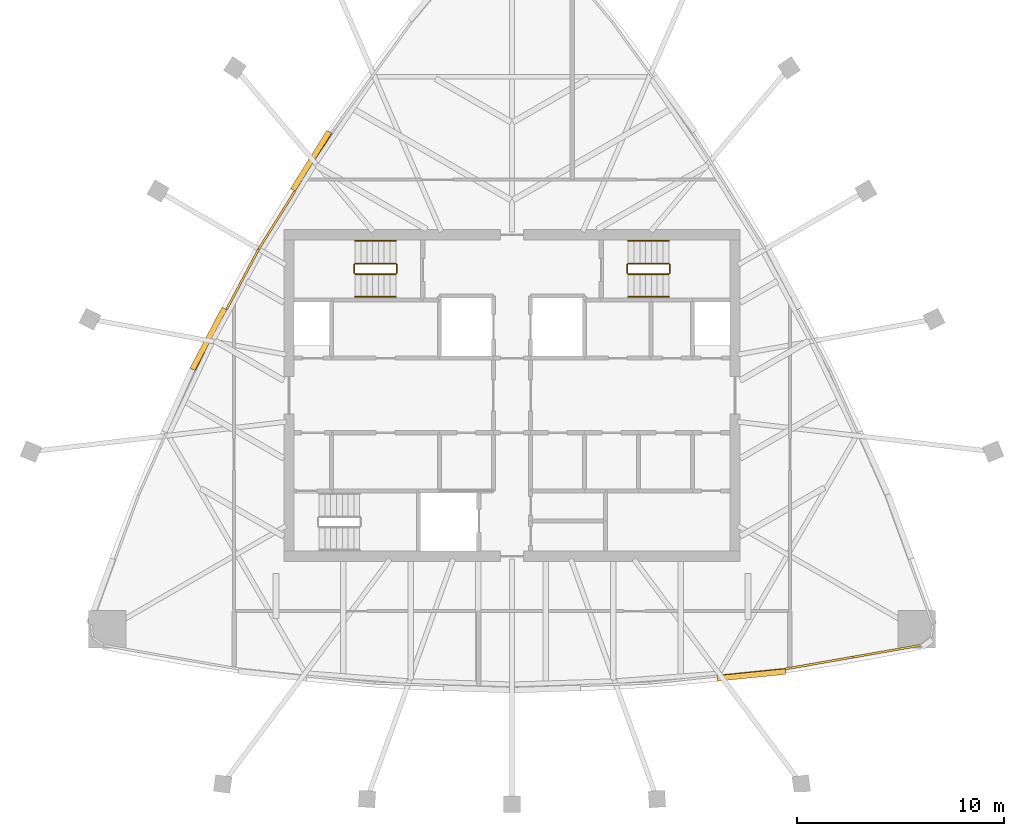
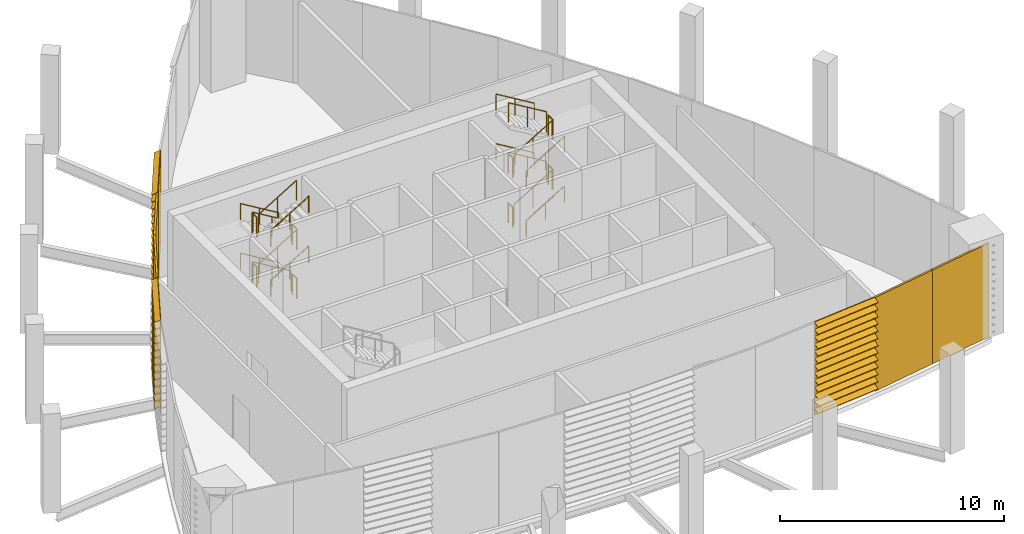
# One storey, part 7 of 8: 24 railings, 4 coverings, 3 shading devices.
"""IFC4 building model written with IfcOpenShell, lengths in metres."""

from ifc_helpers import new_model, si_unit, direction, frame, origin, origin_2d, place, context, subcontext, project, spatial, polyline, circle, outline, extrude, material, layer, layer_set, type_object, element, save


model = new_model("IFC4")

# Units and contexts
model_context = context("Model", 3, precision=1e-05, world=origin(), true_north=direction((0.0, 1.0)))
body_context = subcontext(model_context, "Body", "Model", "MODEL_VIEW")
ifc_project = project(units=[si_unit("LENGTHUNIT", "METRE"), si_unit("AREAUNIT", "SQUARE_METRE"), si_unit("VOLUMEUNIT", "CUBIC_METRE"), si_unit("PLANEANGLEUNIT", "RADIAN"), si_unit("MASSUNIT", "GRAM", prefix="KILO")], contexts=[model_context])

# Site, building, storey
site_placement = place(None, origin())
site = spatial("IfcSite", under=ifc_project, at=site_placement, CompositionType="ELEMENT")
building_placement = place(site_placement, origin())
building = spatial("IfcBuilding", under=site, at=building_placement, Name="Sierra Prisma Convention Tower", CompositionType="ELEMENT")
storey_placement = place(building_placement, frame((0.0, 0.0, 344.800048828125)))
storey = spatial("IfcBuildingStorey", under=building, at=storey_placement, Name="L77", CompositionType="ELEMENT", Elevation=344.800048828125)

# Coverings
ifc_material_1 = material(Name="Aluminium composite bronze anodised", Category="aluminium")
ifc_layer = layer(ifc_material_1, 0.10009765625)
ifc_layer_set = layer_set([ifc_layer], Name="Bronze cladding panel")
covering_type = type_object("IfcCoveringType", Name="Bronze cladding panel", PredefinedType="CLADDING", material=ifc_layer_set)
covering_1_placement = place(storey_placement, origin())
element("IfcCovering", 1, at=covering_1_placement, inside=storey, type_object=covering_type, Name="Crown cladding L77.11", PredefinedType="CLADDING", context=body_context, shape_type="SweptSolid", body=[
    extrude(outline(polyline([(13.164794921875, -13.13720703125), (16.41650390625, -12.568603515625), (16.433837890625, -12.667236328125), (13.18212890625, -13.235595703125), (13.164794921875, -13.13720703125)])), origin(), (0.0, 0.0, 1.0), 5.099853515625),
])
covering_2_placement = place(storey_placement, origin())
element("IfcCovering", 2, at=covering_2_placement, inside=storey, type_object=covering_type, Name="Crown cladding L77.12", PredefinedType="CLADDING", context=body_context, shape_type="SweptSolid", body=[
    extrude(outline(polyline([(16.41650390625, -12.568603515625), (19.66845703125, -12.000244140625), (19.685546875, -12.0986328125), (16.433837890625, -12.667236328125), (16.41650390625, -12.568603515625)])), origin(), (0.0, 0.0, 1.0), 5.099853515625),
])
covering_3_placement = place(storey_placement, origin())
element("IfcCovering", 3, at=covering_3_placement, inside=storey, type_object=covering_type, Name="Crown cladding L77.34", PredefinedType="CLADDING", context=body_context, shape_type="SweptSolid", body=[
    extrude(outline(polyline([(-10.419189453125, 9.824951171875), (-12.167724609375, 7.02490234375), (-12.25244140625, 7.077880859375), (-10.50390625, 9.8779296875), (-10.419189453125, 9.824951171875)])), origin(), (0.0, 0.0, 1.0), 5.099853515625),
])
covering_4_placement = place(storey_placement, origin())
element("IfcCovering", 4, at=covering_4_placement, inside=storey, type_object=covering_type, Name="Crown cladding L77.35", PredefinedType="CLADDING", context=body_context, shape_type="SweptSolid", body=[
    extrude(outline(polyline([(-12.167724609375, 7.02490234375), (-13.71826171875, 4.11083984375), (-13.806640625, 4.15771484375), (-12.255859375, 7.072021484375), (-12.167724609375, 7.02490234375)])), origin(), (0.0, 0.0, 1.0), 5.099853515625),
])

# Railings
ifc_material_2 = material(Name="Stainless steel", Category="steel")
railing_type_1 = type_object("IfcRailingType", Name="Exit stair handrail", PredefinedType="HANDRAIL", material=ifc_material_2)
railing_1_placement = place(storey_placement, frame((-5.60009765625, 7.449951171875, 0.168701171875)))
element("IfcRailing", 5, at=railing_1_placement, inside=storey, type_object=railing_type_1, Name="L77 S3 stair handrail 1", PredefinedType="HANDRAIL", context=body_context, shape_type="SweptSolid", body=[
    extrude(circle(Radius=0.02392578125, at=origin_2d()), frame((0.0, 0.0, 0.8759765625), z_axis=(-0.856493463811, 0.0, 0.516157869696), x_axis=(0.0, -1.0, 0.0)), (0.0, 0.0, 1.0), 2.288330078125),
    extrude(circle(Radius=0.02099609375, at=origin_2d()), origin(), (0.0, 0.0, 1.0), 0.851806640625),
    extrude(circle(Radius=0.02099609375, at=origin_2d()), frame((-0.97998046875, 0.0, 0.590576171875)), (0.0, 0.0, 1.0), 0.851806640625),
    extrude(circle(Radius=0.02099609375, at=origin_2d()), frame((-1.9599609375, 0.0, 1.18115234375)), (0.0, 0.0, 1.0), 0.851806640625),
])
railing_2_placement = place(storey_placement, frame((-7.56005859375, 4.75, 1.518798828125)))
element("IfcRailing", 6, at=railing_2_placement, inside=storey, type_object=railing_type_1, Name="L77 S3 stair handrail 2", PredefinedType="HANDRAIL", context=body_context, shape_type="SweptSolid", body=[
    extrude(circle(Radius=0.02392578125, at=origin_2d()), frame((0.0, 0.0, 0.8759765625), z_axis=(0.856493463811, 0.0, 0.516157869696), x_axis=(0.0, 1.0, 0.0)), (0.0, 0.0, 1.0), 2.288330078125),
    extrude(circle(Radius=0.02099609375, at=origin_2d()), origin(), (0.0, 0.0, 1.0), 0.851806640625),
    extrude(circle(Radius=0.02099609375, at=origin_2d()), frame((0.97998046875, 0.0, 0.590576171875)), (0.0, 0.0, 1.0), 0.851806640625),
    extrude(circle(Radius=0.02099609375, at=origin_2d()), frame((1.9599609375, 0.0, 1.18115234375)), (0.0, 0.0, 1.0), 0.851806640625),
])
railing_3_placement = place(storey_placement, frame((-5.60009765625, 7.449951171875, 2.86865234375)))
element("IfcRailing", 7, at=railing_3_placement, inside=storey, type_object=railing_type_1, Name="L77 S3 stair handrail 3", PredefinedType="HANDRAIL", context=body_context, shape_type="SweptSolid", body=[
    extrude(circle(Radius=0.02392578125, at=origin_2d()), frame((0.0, 0.0, 0.8759765625), z_axis=(-0.856446297458, 0.0, 0.516236127728), x_axis=(0.0, -1.0, 0.0)), (0.0, 0.0, 1.0), 2.28857421875),
    extrude(circle(Radius=0.02099609375, at=origin_2d()), origin(), (0.0, 0.0, 1.0), 0.851806640625),
    extrude(circle(Radius=0.02099609375, at=origin_2d()), frame((-0.97998046875, 0.0, 0.5908203125)), (0.0, 0.0, 1.0), 0.851806640625),
    extrude(circle(Radius=0.02099609375, at=origin_2d()), frame((-1.9599609375, 0.0, 1.181396484375)), (0.0, 0.0, 1.0), 0.851806640625),
])
for number, where, name in (
    (8, (-7.56005859375, 4.75, 4.21875), "L77 S3 stair handrail 4"),
    (9, (5.60009765625, 4.75, 0.168701171875), "L77 S4 stair handrail 1"),
):
    element("IfcRailing", number, at=place(storey_placement, frame(where)), inside=storey, type_object=railing_type_1, Name=name, PredefinedType="HANDRAIL", context=body_context, shape_type="SweptSolid", body=[
        extrude(circle(Radius=0.02392578125, at=origin_2d()), frame((0.0, 0.0, 0.8759765625), z_axis=(0.856493463811, 0.0, 0.516157869696), x_axis=(0.0, 1.0, 0.0)), (0.0, 0.0, 1.0), 2.288330078125),
        extrude(circle(Radius=0.02099609375, at=origin_2d()), origin(), (0.0, 0.0, 1.0), 0.851806640625),
        extrude(circle(Radius=0.02099609375, at=origin_2d()), frame((0.97998046875, 0.0, 0.590576171875)), (0.0, 0.0, 1.0), 0.851806640625),
        extrude(circle(Radius=0.02099609375, at=origin_2d()), frame((1.9599609375, 0.0, 1.18115234375)), (0.0, 0.0, 1.0), 0.851806640625),
    ])
railing_4_placement = place(storey_placement, frame((7.56005859375, 7.449951171875, 1.518798828125)))
element("IfcRailing", 10, at=railing_4_placement, inside=storey, type_object=railing_type_1, Name="L77 S4 stair handrail 2", PredefinedType="HANDRAIL", context=body_context, shape_type="SweptSolid", body=[
    extrude(circle(Radius=0.02392578125, at=origin_2d()), frame((0.0, 0.0, 0.8759765625), z_axis=(-0.856493463811, 0.0, 0.516157869696), x_axis=(0.0, -1.0, 0.0)), (0.0, 0.0, 1.0), 2.288330078125),
    extrude(circle(Radius=0.02099609375, at=origin_2d()), origin(), (0.0, 0.0, 1.0), 0.851806640625),
    extrude(circle(Radius=0.02099609375, at=origin_2d()), frame((-0.97998046875, 0.0, 0.590576171875)), (0.0, 0.0, 1.0), 0.851806640625),
    extrude(circle(Radius=0.02099609375, at=origin_2d()), frame((-1.9599609375, 0.0, 1.18115234375)), (0.0, 0.0, 1.0), 0.851806640625),
])
railing_5_placement = place(storey_placement, frame((5.60009765625, 4.75, 2.86865234375)))
element("IfcRailing", 11, at=railing_5_placement, inside=storey, type_object=railing_type_1, Name="L77 S4 stair handrail 3", PredefinedType="HANDRAIL", context=body_context, shape_type="SweptSolid", body=[
    extrude(circle(Radius=0.02392578125, at=origin_2d()), frame((0.0, 0.0, 0.8759765625), z_axis=(0.856446297458, 0.0, 0.516236127728), x_axis=(0.0, 1.0, 0.0)), (0.0, 0.0, 1.0), 2.28857421875),
    extrude(circle(Radius=0.02099609375, at=origin_2d()), origin(), (0.0, 0.0, 1.0), 0.851806640625),
    extrude(circle(Radius=0.02099609375, at=origin_2d()), frame((0.97998046875, 0.0, 0.5908203125)), (0.0, 0.0, 1.0), 0.851806640625),
    extrude(circle(Radius=0.02099609375, at=origin_2d()), frame((1.9599609375, 0.0, 1.181396484375)), (0.0, 0.0, 1.0), 0.851806640625),
])
railing_6_placement = place(storey_placement, frame((7.56005859375, 7.449951171875, 4.21875)))
element("IfcRailing", 12, at=railing_6_placement, inside=storey, type_object=railing_type_1, Name="L77 S4 stair handrail 4", PredefinedType="HANDRAIL", context=body_context, shape_type="SweptSolid", body=[
    extrude(circle(Radius=0.02392578125, at=origin_2d()), frame((0.0, 0.0, 0.8759765625), z_axis=(-0.856493463811, 0.0, 0.516157869696), x_axis=(0.0, -1.0, 0.0)), (0.0, 0.0, 1.0), 2.288330078125),
    extrude(circle(Radius=0.02099609375, at=origin_2d()), origin(), (0.0, 0.0, 1.0), 0.851806640625),
    extrude(circle(Radius=0.02099609375, at=origin_2d()), frame((-0.97998046875, 0.0, 0.590576171875)), (0.0, 0.0, 1.0), 0.851806640625),
    extrude(circle(Radius=0.02099609375, at=origin_2d()), frame((-1.9599609375, 0.0, 1.18115234375)), (0.0, 0.0, 1.0), 0.851806640625),
])

# Shading devices
ifc_material_3 = material(Name="Aluminium 6063-T6 bronze anodised", Category="aluminium")
shading_device_type = type_object("IfcShadingDeviceType", Name="Louvre bay bronze", PredefinedType="USERDEFINED", material=ifc_material_3)
shading_device_1_placement = place(storey_placement, frame((9.881591796875, -13.479248046875, 0.0), z_axis=(-0.994994315957, -0.099931532632, 0.0), x_axis=(0.0, 0.0, 1.0)))
element("IfcShadingDevice", 13, at=shading_device_1_placement, inside=storey, type_object=shading_device_type, Name="Crown louvre L77.10", ObjectType="LOUVRE", PredefinedType="USERDEFINED", context=body_context, shape_type="SweptSolid", body=[
    extrude(outline(polyline([(0.0, 0.0), (5.099853515625, 0.0), (5.099853515625, -0.030171747864804276), (5.079833984375, -0.030171747864804276), (4.9599609375, -0.29994491180252747), (4.929931640625, -0.29994491180252747), (5.050048828125, -0.030171747864804276), (4.707763671875, -0.030171747864804276), (4.687744140625, -0.030171747864804276), (4.567626953125, -0.29994491180252747), (4.53759765625, -0.29994491180252747), (4.65771484375, -0.030171747864804276), (4.3154296875, -0.030171747864804276), (4.29541015625, -0.030171747864804276), (4.17529296875, -0.29994491180252747), (4.145263671875, -0.29994491180252747), (4.265380859375, -0.030171747864804276), (3.923095703125, -0.030171747864804276), (3.903076171875, -0.030171747864804276), (3.782958984375, -0.29994491180252747), (3.7529296875, -0.29994491180252747), (3.873046875, -0.030171747864804276), (3.53076171875, -0.030171747864804276), (3.5107421875, -0.030171747864804276), (3.390625, -0.29994491180252747), (3.36083984375, -0.29994491180252747), (3.480712890625, -0.030171747864804276), (3.138427734375, -0.030171747864804276), (3.118408203125, -0.030171747864804276), (2.998291015625, -0.29994491180252747), (2.968505859375, -0.29994491180252747), (3.08837890625, -0.030171747864804276), (2.74609375, -0.030171747864804276), (2.72607421875, -0.030171747864804276), (2.606201171875, -0.29994491180252747), (2.576171875, -0.29994491180252747), (2.696044921875, -0.030171747864804276), (2.353759765625, -0.030171747864804276), (2.333740234375, -0.030171747864804276), (2.2138671875, -0.29994491180252747), (2.183837890625, -0.29994491180252747), (2.3037109375, -0.030171747864804276), (1.96142578125, -0.030171747864804276), (1.94140625, -0.030171747864804276), (1.821533203125, -0.29994491180252747), (1.79150390625, -0.29994491180252747), (1.911376953125, -0.030171747864804276), (1.569091796875, -0.030171747864804276), (1.549072265625, -0.030171747864804276), (1.42919921875, -0.29994491180252747), (1.399169921875, -0.29994491180252747), (1.519287109375, -0.030171747864804276), (1.1767578125, -0.030171747864804276), (1.156982421875, -0.030171747864804276), (1.036865234375, -0.29994491180252747), (1.0068359375, -0.29994491180252747), (1.126953125, -0.030171747864804276), (0.78466796875, -0.030171747864804276), (0.7646484375, -0.030171747864804276), (0.64453125, -0.29994491180252747), (0.614501953125, -0.29994491180252747), (0.734619140625, -0.030171747864804276), (0.392333984375, -0.030171747864804276), (0.372314453125, -0.030171747864804276), (0.252197265625, -0.29994491180252747), (0.22216796875, -0.29994491180252747), (0.34228515625, -0.030171747864804276), (0.0, -0.030171747864804276), (0.0, 0.0)])), origin(), (0.0, 0.0, -1.0), 3.301025390625),
])
shading_device_2_placement = place(storey_placement, frame((-8.670654296875, 12.625, 0.0), z_axis=(0.529932604908, 0.848039759832, 0.0), x_axis=(0.0, 0.0, 1.0)))
element("IfcShadingDevice", 14, at=shading_device_2_placement, inside=storey, type_object=shading_device_type, Name="Crown louvre L77.33", ObjectType="LOUVRE", PredefinedType="USERDEFINED", context=body_context, shape_type="SweptSolid", body=[
    extrude(outline(polyline([(0.0, 0.0), (5.099853515625, 0.0), (5.099853515625, -0.029941834556034587), (5.079833984375, -0.029941834556034587), (4.9599609375, -0.2999618055516964), (4.929931640625, -0.2999618055516964), (5.050048828125, -0.029941834556034587), (4.707763671875, -0.029941834556034587), (4.687744140625, -0.029941834556034587), (4.567626953125, -0.2999618055516964), (4.53759765625, -0.2999618055516964), (4.65771484375, -0.029941834556034587), (4.3154296875, -0.029941834556034587), (4.29541015625, -0.029941834556034587), (4.17529296875, -0.2999618055516964), (4.145263671875, -0.2999618055516964), (4.265380859375, -0.029941834556034587), (3.923095703125, -0.029941834556034587), (3.903076171875, -0.029941834556034587), (3.782958984375, -0.2999618055516964), (3.7529296875, -0.2999618055516964), (3.873046875, -0.029941834556034587), (3.53076171875, -0.029941834556034587), (3.5107421875, -0.029941834556034587), (3.390625, -0.2999618055516964), (3.36083984375, -0.2999618055516964), (3.480712890625, -0.029941834556034587), (3.138427734375, -0.029941834556034587), (3.118408203125, -0.029941834556034587), (2.998291015625, -0.2999618055516964), (2.968505859375, -0.2999618055516964), (3.08837890625, -0.029941834556034587), (2.74609375, -0.029941834556034587), (2.72607421875, -0.029941834556034587), (2.606201171875, -0.2999618055516964), (2.576171875, -0.2999618055516964), (2.696044921875, -0.029941834556034587), (2.353759765625, -0.029941834556034587), (2.333740234375, -0.029941834556034587), (2.2138671875, -0.2999618055516964), (2.183837890625, -0.2999618055516964), (2.3037109375, -0.029941834556034587), (1.96142578125, -0.029941834556034587), (1.94140625, -0.029941834556034587), (1.821533203125, -0.2999618055516964), (1.79150390625, -0.2999618055516964), (1.911376953125, -0.029941834556034587), (1.569091796875, -0.029941834556034587), (1.549072265625, -0.029941834556034587), (1.42919921875, -0.2999618055516964), (1.399169921875, -0.2999618055516964), (1.519287109375, -0.029941834556034587), (1.1767578125, -0.029941834556034587), (1.156982421875, -0.029941834556034587), (1.036865234375, -0.2999618055516964), (1.0068359375, -0.2999618055516964), (1.126953125, -0.029941834556034587), (0.78466796875, -0.029941834556034587), (0.7646484375, -0.029941834556034587), (0.64453125, -0.2999618055516964), (0.614501953125, -0.2999618055516964), (0.734619140625, -0.029941834556034587), (0.392333984375, -0.029941834556034587), (0.372314453125, -0.029941834556034587), (0.252197265625, -0.2999618055516964), (0.22216796875, -0.2999618055516964), (0.34228515625, -0.029941834556034587), (0.0, -0.029941834556034587), (0.0, 0.0)])), origin(), (0.0, 0.0, -1.0), 3.301025390625),
])
shading_device_3_placement = place(storey_placement, frame((-13.71826171875, 4.11083984375, 0.0), z_axis=(0.466178127469, 0.884690880178, 0.0), x_axis=(0.0, 0.0, 1.0)))
element("IfcShadingDevice", 15, at=shading_device_3_placement, inside=storey, type_object=shading_device_type, Name="Crown louvre L77.36", ObjectType="LOUVRE", PredefinedType="USERDEFINED", context=body_context, shape_type="SweptSolid", body=[
    extrude(outline(polyline([(0.0, 0.0), (5.099853515625, 0.0), (5.099853515625, -0.03003014140749427), (5.079833984375, -0.03003014140749427), (4.9599609375, -0.3000181602886611), (4.929931640625, -0.3000181602886611), (5.050048828125, -0.03003014140749427), (4.707763671875, -0.03003014140749427), (4.687744140625, -0.03003014140749427), (4.567626953125, -0.3000181602886611), (4.53759765625, -0.3000181602886611), (4.65771484375, -0.03003014140749427), (4.3154296875, -0.03003014140749427), (4.29541015625, -0.03003014140749427), (4.17529296875, -0.3000181602886611), (4.145263671875, -0.3000181602886611), (4.265380859375, -0.03003014140749427), (3.923095703125, -0.03003014140749427), (3.903076171875, -0.03003014140749427), (3.782958984375, -0.3000181602886611), (3.7529296875, -0.3000181602886611), (3.873046875, -0.03003014140749427), (3.53076171875, -0.03003014140749427), (3.5107421875, -0.03003014140749427), (3.390625, -0.3000181602886611), (3.36083984375, -0.3000181602886611), (3.480712890625, -0.03003014140749427), (3.138427734375, -0.03003014140749427), (3.118408203125, -0.03003014140749427), (2.998291015625, -0.3000181602886611), (2.968505859375, -0.3000181602886611), (3.08837890625, -0.03003014140749427), (2.74609375, -0.03003014140749427), (2.72607421875, -0.03003014140749427), (2.606201171875, -0.3000181602886611), (2.576171875, -0.3000181602886611), (2.696044921875, -0.03003014140749427), (2.353759765625, -0.03003014140749427), (2.333740234375, -0.03003014140749427), (2.2138671875, -0.3000181602886611), (2.183837890625, -0.3000181602886611), (2.3037109375, -0.03003014140749427), (1.96142578125, -0.03003014140749427), (1.94140625, -0.03003014140749427), (1.821533203125, -0.3000181602886611), (1.79150390625, -0.3000181602886611), (1.911376953125, -0.03003014140749427), (1.569091796875, -0.03003014140749427), (1.549072265625, -0.03003014140749427), (1.42919921875, -0.3000181602886611), (1.399169921875, -0.3000181602886611), (1.519287109375, -0.03003014140749427), (1.1767578125, -0.03003014140749427), (1.156982421875, -0.03003014140749427), (1.036865234375, -0.3000181602886611), (1.0068359375, -0.3000181602886611), (1.126953125, -0.03003014140749427), (0.78466796875, -0.03003014140749427), (0.7646484375, -0.03003014140749427), (0.64453125, -0.3000181602886611), (0.614501953125, -0.3000181602886611), (0.734619140625, -0.03003014140749427), (0.392333984375, -0.03003014140749427), (0.372314453125, -0.03003014140749427), (0.252197265625, -0.3000181602886611), (0.22216796875, -0.3000181602886611), (0.34228515625, -0.03003014140749427), (0.0, -0.03003014140749427), (0.0, 0.0)])), origin(), (0.0, 0.0, -1.0), 3.301025390625),
])

# Railings
ifc_material_4 = material(Name="Stainless steel", Category="steel")
railing_type_2 = type_object("IfcRailingType", Name="Stair guard 1100", PredefinedType="GUARDRAIL", material=ifc_material_4)
railing_7_placement = place(storey_placement, frame((-5.60009765625, 6.35009765625, 0.168701171875)))
element("IfcRailing", 16, at=railing_7_placement, inside=storey, type_object=railing_type_2, Name="L77 S3 stair guard 1", PredefinedType="GUARDRAIL", context=body_context, shape_type="SweptSolid", body=[
    extrude(circle(Radius=0.02392578125, at=origin_2d()), frame((0.0, 0.0, 1.076171875), z_axis=(-0.856493463811, 0.0, 0.516157869696), x_axis=(0.0, -1.0, 0.0)), (0.0, 0.0, 1.0), 2.288330078125),
    extrude(circle(Radius=0.02099609375, at=origin_2d()), origin(), (0.0, 0.0, 1.0), 1.052001953125),
    extrude(circle(Radius=0.02099609375, at=origin_2d()), frame((-0.97998046875, 0.0, 0.590576171875)), (0.0, 0.0, 1.0), 1.052001953125),
    extrude(circle(Radius=0.02099609375, at=origin_2d()), frame((-1.9599609375, 0.0, 1.18115234375)), (0.0, 0.0, 1.0), 1.052001953125),
])
railing_8_placement = place(storey_placement, frame((-7.610107421875, 6.300048828125, 1.349853515625)))
element("IfcRailing", 17, at=railing_8_placement, inside=storey, type_object=railing_type_2, Name="L77 S3 stair guard 2", PredefinedType="GUARDRAIL", context=body_context, shape_type="SweptSolid", body=[
    extrude(circle(Radius=0.02392578125, at=origin_2d()), frame((0.0, 0.0, 1.076171875), z_axis=(0.0, -1.0, 0.0), x_axis=(1.0, 0.0, 0.0)), (0.0, 0.0, 1.0), 0.400146484375),
    extrude(circle(Radius=0.02099609375, at=origin_2d()), origin(), (0.0, 0.0, 1.0), 1.052001953125),
    extrude(circle(Radius=0.02099609375, at=origin_2d()), frame((0.0, -0.400146484375, 0.0)), (0.0, 0.0, 1.0), 1.052001953125),
])
railing_9_placement = place(storey_placement, frame((-7.56005859375, 5.85009765625, 1.518798828125)))
element("IfcRailing", 18, at=railing_9_placement, inside=storey, type_object=railing_type_2, Name="L77 S3 stair guard 3", PredefinedType="GUARDRAIL", context=body_context, shape_type="SweptSolid", body=[
    extrude(circle(Radius=0.02392578125, at=origin_2d()), frame((0.0, 0.0, 1.076171875), z_axis=(0.856493463811, 0.0, 0.516157869696), x_axis=(0.0, 1.0, 0.0)), (0.0, 0.0, 1.0), 2.288330078125),
    extrude(circle(Radius=0.02099609375, at=origin_2d()), origin(), (0.0, 0.0, 1.0), 1.052001953125),
    extrude(circle(Radius=0.02099609375, at=origin_2d()), frame((0.97998046875, 0.0, 0.590576171875)), (0.0, 0.0, 1.0), 1.052001953125),
    extrude(circle(Radius=0.02099609375, at=origin_2d()), frame((1.9599609375, 0.0, 1.18115234375)), (0.0, 0.0, 1.0), 1.052001953125),
])
railing_10_placement = place(storey_placement, frame((-5.550048828125, 6.300048828125, 2.699951171875)))
element("IfcRailing", 19, at=railing_10_placement, inside=storey, type_object=railing_type_2, Name="L77 S3 stair guard 4", PredefinedType="GUARDRAIL", context=body_context, shape_type="SweptSolid", body=[
    extrude(circle(Radius=0.02392578125, at=origin_2d()), frame((0.0, 0.0, 1.076171875), z_axis=(0.0, -1.0, 0.0), x_axis=(1.0, 0.0, 0.0)), (0.0, 0.0, 1.0), 0.400146484375),
    extrude(circle(Radius=0.02099609375, at=origin_2d()), origin(), (0.0, 0.0, 1.0), 1.052001953125),
    extrude(circle(Radius=0.02099609375, at=origin_2d()), frame((0.0, -0.400146484375, 0.0)), (0.0, 0.0, 1.0), 1.052001953125),
])
railing_11_placement = place(storey_placement, frame((-5.60009765625, 6.35009765625, 2.86865234375)))
element("IfcRailing", 20, at=railing_11_placement, inside=storey, type_object=railing_type_2, Name="L77 S3 stair guard 5", PredefinedType="GUARDRAIL", context=body_context, shape_type="SweptSolid", body=[
    extrude(circle(Radius=0.02392578125, at=origin_2d()), frame((0.0, 0.0, 1.076171875), z_axis=(-0.856446297458, 0.0, 0.516236127728), x_axis=(0.0, -1.0, 0.0)), (0.0, 0.0, 1.0), 2.28857421875),
    extrude(circle(Radius=0.02099609375, at=origin_2d()), origin(), (0.0, 0.0, 1.0), 1.052001953125),
    extrude(circle(Radius=0.02099609375, at=origin_2d()), frame((-0.97998046875, 0.0, 0.5908203125)), (0.0, 0.0, 1.0), 1.052001953125),
    extrude(circle(Radius=0.02099609375, at=origin_2d()), frame((-1.9599609375, 0.0, 1.181396484375)), (0.0, 0.0, 1.0), 1.052001953125),
])
railing_12_placement = place(storey_placement, frame((-7.610107421875, 6.300048828125, 4.050048828125)))
element("IfcRailing", 21, at=railing_12_placement, inside=storey, type_object=railing_type_2, Name="L77 S3 stair guard 6", PredefinedType="GUARDRAIL", context=body_context, shape_type="SweptSolid", body=[
    extrude(circle(Radius=0.02392578125, at=origin_2d()), frame((0.0, 0.0, 1.076171875), z_axis=(0.0, -1.0, 0.0), x_axis=(1.0, 0.0, 0.0)), (0.0, 0.0, 1.0), 0.400146484375),
    extrude(circle(Radius=0.02099609375, at=origin_2d()), origin(), (0.0, 0.0, 1.0), 1.052001953125),
    extrude(circle(Radius=0.02099609375, at=origin_2d()), frame((0.0, -0.400146484375, 0.0)), (0.0, 0.0, 1.0), 1.052001953125),
])
railing_13_placement = place(storey_placement, frame((-7.56005859375, 5.85009765625, 4.21875)))
element("IfcRailing", 22, at=railing_13_placement, inside=storey, type_object=railing_type_2, Name="L77 S3 stair guard 7", PredefinedType="GUARDRAIL", context=body_context, shape_type="SweptSolid", body=[
    extrude(circle(Radius=0.02392578125, at=origin_2d()), frame((0.0, 0.0, 1.076171875), z_axis=(0.856493463811, 0.0, 0.516157869696), x_axis=(0.0, 1.0, 0.0)), (0.0, 0.0, 1.0), 2.288330078125),
    extrude(circle(Radius=0.02099609375, at=origin_2d()), origin(), (0.0, 0.0, 1.0), 1.052001953125),
    extrude(circle(Radius=0.02099609375, at=origin_2d()), frame((0.97998046875, 0.0, 0.590576171875)), (0.0, 0.0, 1.0), 1.052001953125),
    extrude(circle(Radius=0.02099609375, at=origin_2d()), frame((1.9599609375, 0.0, 1.18115234375)), (0.0, 0.0, 1.0), 1.052001953125),
])
railing_14_placement = place(storey_placement, frame((-5.550048828125, 6.300048828125, 0.0)))
element("IfcRailing", 23, at=railing_14_placement, inside=storey, type_object=railing_type_2, Name="L77 S3 stair guard 8", PredefinedType="GUARDRAIL", context=body_context, shape_type="SweptSolid", body=[
    extrude(circle(Radius=0.02392578125, at=origin_2d()), frame((0.0, 0.0, 1.076171875), z_axis=(0.0, -1.0, 0.0), x_axis=(1.0, 0.0, 0.0)), (0.0, 0.0, 1.0), 0.400146484375),
    extrude(circle(Radius=0.02099609375, at=origin_2d()), origin(), (0.0, 0.0, 1.0), 1.052001953125),
    extrude(circle(Radius=0.02099609375, at=origin_2d()), frame((0.0, -0.400146484375, 0.0)), (0.0, 0.0, 1.0), 1.052001953125),
])
railing_15_placement = place(storey_placement, frame((5.60009765625, 5.85009765625, 0.168701171875)))
element("IfcRailing", 24, at=railing_15_placement, inside=storey, type_object=railing_type_2, Name="L77 S4 stair guard 1", PredefinedType="GUARDRAIL", context=body_context, shape_type="SweptSolid", body=[
    extrude(circle(Radius=0.02392578125, at=origin_2d()), frame((0.0, 0.0, 1.076171875), z_axis=(0.856493463811, 0.0, 0.516157869696), x_axis=(0.0, 1.0, 0.0)), (0.0, 0.0, 1.0), 2.288330078125),
    extrude(circle(Radius=0.02099609375, at=origin_2d()), origin(), (0.0, 0.0, 1.0), 1.052001953125),
    extrude(circle(Radius=0.02099609375, at=origin_2d()), frame((0.97998046875, 0.0, 0.590576171875)), (0.0, 0.0, 1.0), 1.052001953125),
    extrude(circle(Radius=0.02099609375, at=origin_2d()), frame((1.9599609375, 0.0, 1.18115234375)), (0.0, 0.0, 1.0), 1.052001953125),
])
railing_16_placement = place(storey_placement, frame((7.610107421875, 5.89990234375, 1.349853515625)))
element("IfcRailing", 25, at=railing_16_placement, inside=storey, type_object=railing_type_2, Name="L77 S4 stair guard 2", PredefinedType="GUARDRAIL", context=body_context, shape_type="SweptSolid", body=[
    extrude(circle(Radius=0.02392578125, at=origin_2d()), frame((0.0, 0.0, 1.076171875), z_axis=(0.0, 1.0, 0.0), x_axis=(-1.0, 0.0, 0.0)), (0.0, 0.0, 1.0), 0.400146484375),
    extrude(circle(Radius=0.02099609375, at=origin_2d()), origin(), (0.0, 0.0, 1.0), 1.052001953125),
    extrude(circle(Radius=0.02099609375, at=origin_2d()), frame((0.0, 0.400146484375, 0.0)), (0.0, 0.0, 1.0), 1.052001953125),
])
railing_17_placement = place(storey_placement, frame((7.56005859375, 6.35009765625, 1.518798828125)))
element("IfcRailing", 26, at=railing_17_placement, inside=storey, type_object=railing_type_2, Name="L77 S4 stair guard 3", PredefinedType="GUARDRAIL", context=body_context, shape_type="SweptSolid", body=[
    extrude(circle(Radius=0.02392578125, at=origin_2d()), frame((0.0, 0.0, 1.076171875), z_axis=(-0.856493463811, 0.0, 0.516157869696), x_axis=(0.0, -1.0, 0.0)), (0.0, 0.0, 1.0), 2.288330078125),
    extrude(circle(Radius=0.02099609375, at=origin_2d()), origin(), (0.0, 0.0, 1.0), 1.052001953125),
    extrude(circle(Radius=0.02099609375, at=origin_2d()), frame((-0.97998046875, 0.0, 0.590576171875)), (0.0, 0.0, 1.0), 1.052001953125),
    extrude(circle(Radius=0.02099609375, at=origin_2d()), frame((-1.9599609375, 0.0, 1.18115234375)), (0.0, 0.0, 1.0), 1.052001953125),
])
railing_18_placement = place(storey_placement, frame((5.550048828125, 5.89990234375, 2.699951171875)))
element("IfcRailing", 27, at=railing_18_placement, inside=storey, type_object=railing_type_2, Name="L77 S4 stair guard 4", PredefinedType="GUARDRAIL", context=body_context, shape_type="SweptSolid", body=[
    extrude(circle(Radius=0.02392578125, at=origin_2d()), frame((0.0, 0.0, 1.076171875), z_axis=(0.0, 1.0, 0.0), x_axis=(-1.0, 0.0, 0.0)), (0.0, 0.0, 1.0), 0.400146484375),
    extrude(circle(Radius=0.02099609375, at=origin_2d()), origin(), (0.0, 0.0, 1.0), 1.052001953125),
    extrude(circle(Radius=0.02099609375, at=origin_2d()), frame((0.0, 0.400146484375, 0.0)), (0.0, 0.0, 1.0), 1.052001953125),
])
railing_19_placement = place(storey_placement, frame((5.60009765625, 5.85009765625, 2.86865234375)))
element("IfcRailing", 28, at=railing_19_placement, inside=storey, type_object=railing_type_2, Name="L77 S4 stair guard 5", PredefinedType="GUARDRAIL", context=body_context, shape_type="SweptSolid", body=[
    extrude(circle(Radius=0.02392578125, at=origin_2d()), frame((0.0, 0.0, 1.076171875), z_axis=(0.856446297458, 0.0, 0.516236127728), x_axis=(0.0, 1.0, 0.0)), (0.0, 0.0, 1.0), 2.28857421875),
    extrude(circle(Radius=0.02099609375, at=origin_2d()), origin(), (0.0, 0.0, 1.0), 1.052001953125),
    extrude(circle(Radius=0.02099609375, at=origin_2d()), frame((0.97998046875, 0.0, 0.5908203125)), (0.0, 0.0, 1.0), 1.052001953125),
    extrude(circle(Radius=0.02099609375, at=origin_2d()), frame((1.9599609375, 0.0, 1.181396484375)), (0.0, 0.0, 1.0), 1.052001953125),
])
railing_20_placement = place(storey_placement, frame((7.610107421875, 5.89990234375, 4.050048828125)))
element("IfcRailing", 29, at=railing_20_placement, inside=storey, type_object=railing_type_2, Name="L77 S4 stair guard 6", PredefinedType="GUARDRAIL", context=body_context, shape_type="SweptSolid", body=[
    extrude(circle(Radius=0.02392578125, at=origin_2d()), frame((0.0, 0.0, 1.076171875), z_axis=(0.0, 1.0, 0.0), x_axis=(-1.0, 0.0, 0.0)), (0.0, 0.0, 1.0), 0.400146484375),
    extrude(circle(Radius=0.02099609375, at=origin_2d()), origin(), (0.0, 0.0, 1.0), 1.052001953125),
    extrude(circle(Radius=0.02099609375, at=origin_2d()), frame((0.0, 0.400146484375, 0.0)), (0.0, 0.0, 1.0), 1.052001953125),
])
railing_21_placement = place(storey_placement, frame((7.56005859375, 6.35009765625, 4.21875)))
element("IfcRailing", 30, at=railing_21_placement, inside=storey, type_object=railing_type_2, Name="L77 S4 stair guard 7", PredefinedType="GUARDRAIL", context=body_context, shape_type="SweptSolid", body=[
    extrude(circle(Radius=0.02392578125, at=origin_2d()), frame((0.0, 0.0, 1.076171875), z_axis=(-0.856493463811, 0.0, 0.516157869696), x_axis=(0.0, -1.0, 0.0)), (0.0, 0.0, 1.0), 2.288330078125),
    extrude(circle(Radius=0.02099609375, at=origin_2d()), origin(), (0.0, 0.0, 1.0), 1.052001953125),
    extrude(circle(Radius=0.02099609375, at=origin_2d()), frame((-0.97998046875, 0.0, 0.590576171875)), (0.0, 0.0, 1.0), 1.052001953125),
    extrude(circle(Radius=0.02099609375, at=origin_2d()), frame((-1.9599609375, 0.0, 1.18115234375)), (0.0, 0.0, 1.0), 1.052001953125),
])
railing_22_placement = place(storey_placement, frame((5.550048828125, 5.89990234375, 0.0)))
element("IfcRailing", 31, at=railing_22_placement, inside=storey, type_object=railing_type_2, Name="L77 S4 stair guard 8", PredefinedType="GUARDRAIL", context=body_context, shape_type="SweptSolid", body=[
    extrude(circle(Radius=0.02392578125, at=origin_2d()), frame((0.0, 0.0, 1.076171875), z_axis=(0.0, 1.0, 0.0), x_axis=(-1.0, 0.0, 0.0)), (0.0, 0.0, 1.0), 0.400146484375),
    extrude(circle(Radius=0.02099609375, at=origin_2d()), origin(), (0.0, 0.0, 1.0), 1.052001953125),
    extrude(circle(Radius=0.02099609375, at=origin_2d()), frame((0.0, 0.400146484375, 0.0)), (0.0, 0.0, 1.0), 1.052001953125),
])

save(model, "model.ifc")
